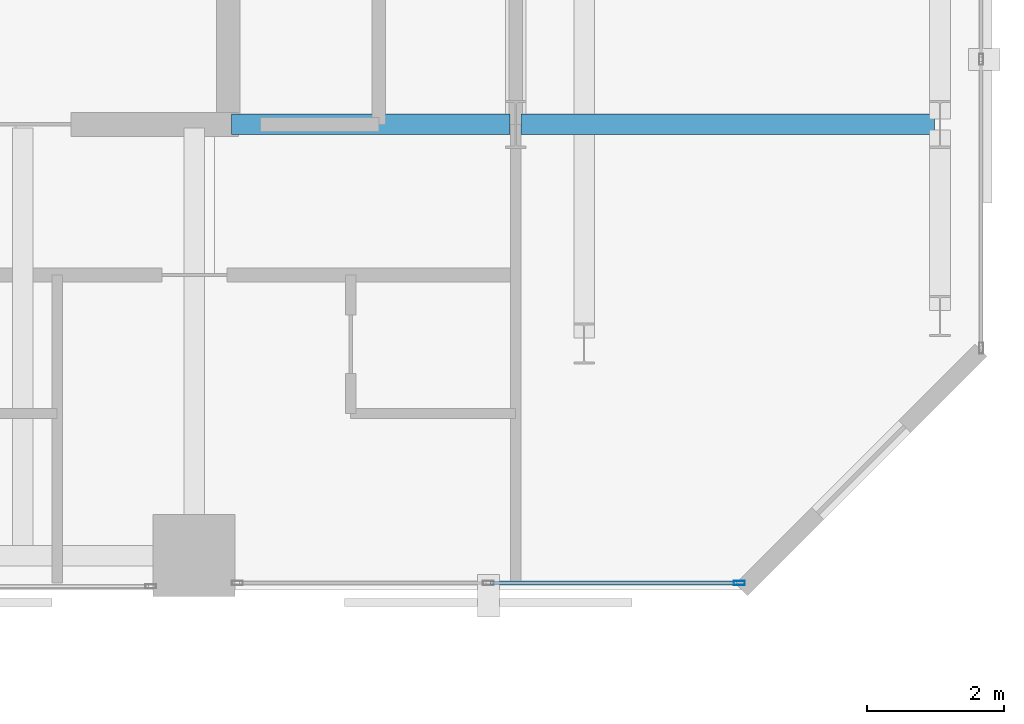
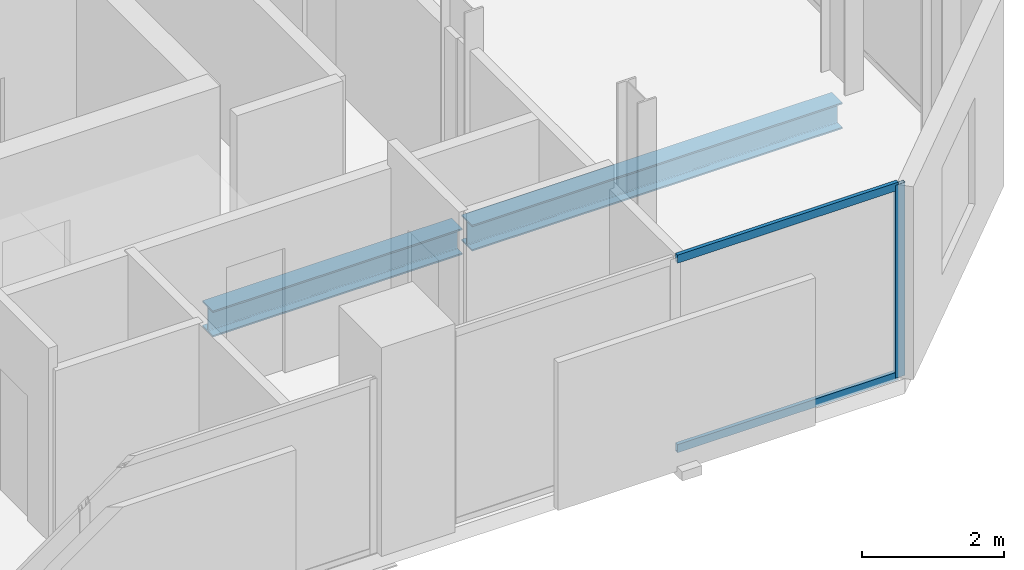
# One storey, part 15 of 32: 3 members, 2 beams, 1 element without a shape of its own.
"""IFC4 building model written with IfcOpenShell, lengths in metres."""

from ifc_helpers import new_model, si_unit, direction, frame, origin, origin_2d, place, context, subcontext, project, spatial, hollow_rectangle, i_section, extrude, material, layer, layer_set, material_profile, profile_set, type_object, element, aggregate, save


model = new_model("IFC4")

# Units and contexts
model_context = context("Model", 3, precision=1e-05, world=origin(), true_north=direction((0.0, 1.0)))
body_context = subcontext(model_context, "Body", "Model", "MODEL_VIEW")
ifc_project = project(units=[si_unit("LENGTHUNIT", "METRE"), si_unit("AREAUNIT", "SQUARE_METRE"), si_unit("VOLUMEUNIT", "CUBIC_METRE"), si_unit("PLANEANGLEUNIT", "RADIAN"), si_unit("MASSUNIT", "GRAM", prefix="KILO")], contexts=[model_context])

# Site, building, storey
site_placement = place(None, origin())
site = spatial("IfcSite", under=ifc_project, at=site_placement, CompositionType="ELEMENT")
building_placement = place(site_placement, origin())
building = spatial("IfcBuilding", under=site, at=building_placement, Name="Catumbela Crestline Tower", CompositionType="ELEMENT")
storey_placement = place(building_placement, frame((0.0, 0.0, 133.2)))
storey = spatial("IfcBuildingStorey", under=building, at=storey_placement, Name="L34", CompositionType="ELEMENT", Elevation=133.2)

# Beams
ifc_material_1 = material(Name="Structural steel S355J2", Category="steel")
ifc_material_profile_1 = material_profile(ifc_material_1, i_section(OverallWidth=0.3, OverallDepth=0.45, WebThickness=0.014, FlangeThickness=0.026, FilletRadius=0.027, at=origin_2d()), Name="HEB 450")
ifc_profile_set_1 = profile_set([ifc_material_profile_1], Name="Structural steel S355J2")
beam_type = type_object("IfcBeamType", Name="BG-HEB450", PredefinedType="BEAM", material=ifc_profile_set_1)
beam_1_placement = place(storey_placement, frame((40.05, 30.8, -0.485), z_axis=(1.0, 0.0, 0.0), x_axis=(0.0, 1.0, 0.0)))
element("IfcBeam", 1, at=beam_1_placement, inside=storey, type_object=beam_type, Name="L34 Beam BM-L34-M10", PredefinedType="BEAM", context=body_context, shape_type="SweptSolid", body=[
    extrude(i_section(OverallWidth=0.3, OverallDepth=0.45, WebThickness=0.014, FlangeThickness=0.026, FilletRadius=0.027, at=origin_2d()), origin(), (0.0, 0.0, 1.0), 4.07),
])
beam_2_placement = place(storey_placement, frame((44.28, 30.8, -0.485), z_axis=(1.0, 0.0, 0.0), x_axis=(0.0, 1.0, 0.0)))
element("IfcBeam", 2, at=beam_2_placement, inside=storey, type_object=beam_type, Name="L34 Beam BM-L34-M11", PredefinedType="BEAM", context=body_context, shape_type="SweptSolid", body=[
    extrude(i_section(OverallWidth=0.3, OverallDepth=0.45, WebThickness=0.014, FlangeThickness=0.026, FilletRadius=0.027, at=origin_2d()), origin(), (0.0, 0.0, 1.0), 6.04),
])

# Curtain wall, members
ifc_material_2 = material(Name="Aluminium alloy AW-6060-T66", Category="aluminium")
ifc_layer = layer(ifc_material_2, 0.18, Name="Aluminium alloy AW-6060-T66")
ifc_layer_set = layer_set([ifc_layer], Name="Aluminium alloy AW-6060-T66")
curtain_wall_type = type_object("IfcCurtainWallType", Name="CWU-Z2", PredefinedType="USERDEFINED", material=ifc_layer_set)
curtain_wall_placement = place(storey_placement, origin())
curtain_wall = element("IfcCurtainWall", 3, at=curtain_wall_placement, inside=storey, type_object=curtain_wall_type, Name="L34 Unitised Curtain Wall CW-L34-E3S2", ObjectType="UNITISED", PredefinedType="USERDEFINED")
ifc_material_profile_2 = material_profile(ifc_material_2, hollow_rectangle(XDim=0.06, YDim=0.16, WallThickness=0.004, at=origin_2d()), Name="ALU 160x60x4")
ifc_profile_set_2 = profile_set([ifc_material_profile_2], Name="Aluminium alloy AW-6060-T66")
member_type_1 = type_object("IfcMemberType", Name="MUL-160X60", PredefinedType="MULLION", material=ifc_profile_set_2)
member_1_placement = place(storey_placement, frame((47.4675, 24.1, 0.0), z_axis=(0.0, 0.0, 1.0), x_axis=(0.0, 1.0, 0.0)))
member_1 = element("IfcMember", 4, at=member_1_placement, type_object=member_type_1, Name="CWU-Z2 mullion 3", PredefinedType="MULLION", context=body_context, shape_type="SweptSolid", body=[
    extrude(hollow_rectangle(XDim=0.06, YDim=0.16, WallThickness=0.004, at=origin_2d()), origin(), (0.0, 0.0, 1.0), 3.33),
])
ifc_material_profile_3 = material_profile(ifc_material_2, hollow_rectangle(XDim=0.06, YDim=0.14, WallThickness=0.004, at=origin_2d()), Name="ALU 140x60x4")
ifc_profile_set_3 = profile_set([ifc_material_profile_3], Name="Aluminium alloy AW-6060-T66")
member_type_2 = type_object("IfcMemberType", Name="TRN-140X60", PredefinedType="USERDEFINED", material=ifc_profile_set_3)
member_2_placement = place(storey_placement, frame((43.8325, 24.1, 0.03), z_axis=(1.0, 0.0, 0.0), x_axis=(0.0, 1.0, 0.0)))
member_2 = element("IfcMember", 5, at=member_2_placement, type_object=member_type_2, Name="CWU-Z2 transom 2.1", ObjectType="TRANSOM", PredefinedType="USERDEFINED", context=body_context, shape_type="SweptSolid", body=[
    extrude(hollow_rectangle(XDim=0.06, YDim=0.14, WallThickness=0.004, at=origin_2d()), origin(), (0.0, 0.0, 1.0), 3.6025),
])
member_3_placement = place(storey_placement, frame((43.8325, 24.1, 3.3), z_axis=(1.0, 0.0, 0.0), x_axis=(0.0, 1.0, 0.0)))
member_3 = element("IfcMember", 6, at=member_3_placement, type_object=member_type_2, Name="CWU-Z2 transom 2.2", ObjectType="TRANSOM", PredefinedType="USERDEFINED", context=body_context, shape_type="SweptSolid", body=[
    extrude(hollow_rectangle(XDim=0.06, YDim=0.14, WallThickness=0.004, at=origin_2d()), origin(), (0.0, 0.0, 1.0), 3.6025),
])
aggregate(curtain_wall, [member_1, member_2, member_3])

save(model, "model.ifc")
